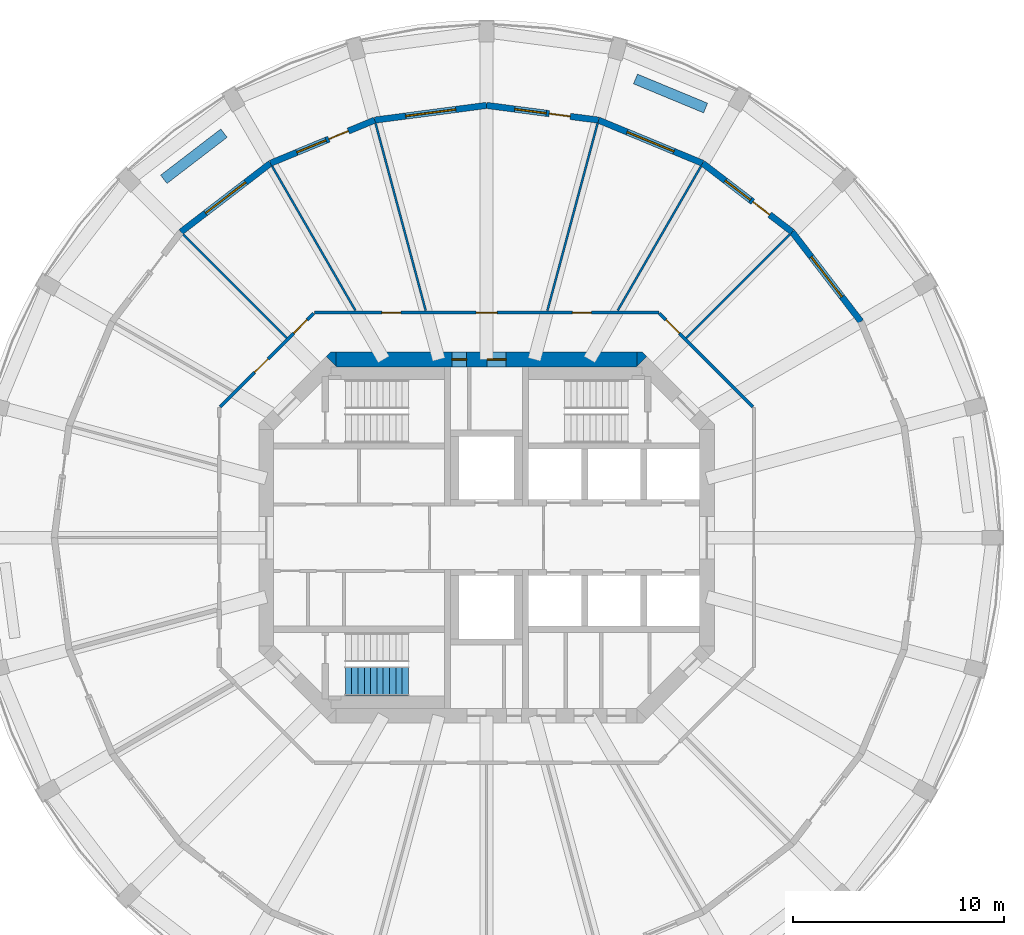
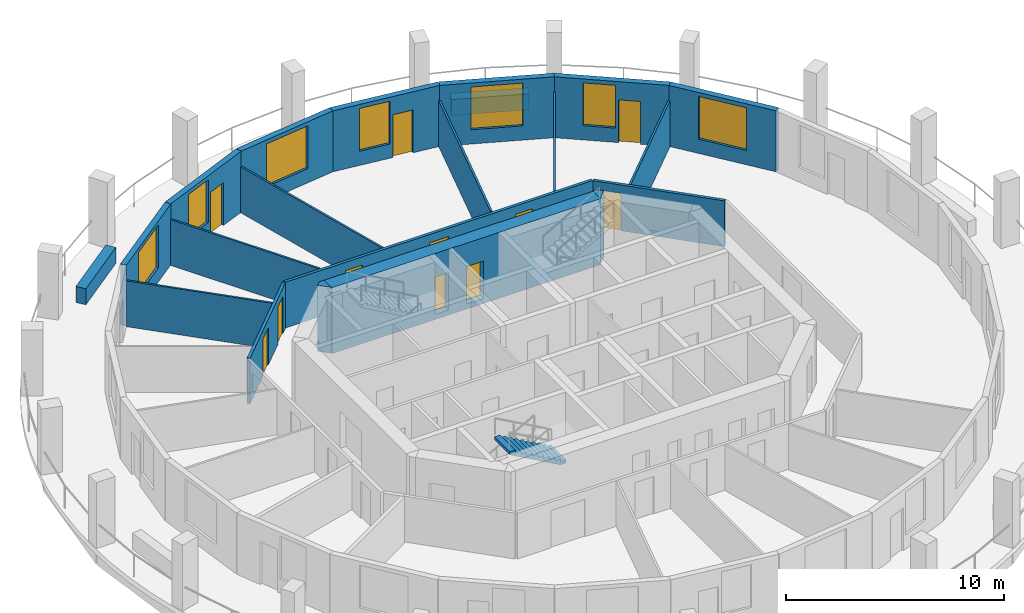
# One storey, part 6 of 9: 21 walls, 11 doors, 7 windows, 1 stair flight, 18 openings, 1 element without a shape of its own.
"""IFC4 building model written with IfcOpenShell, lengths in metres."""

from ifc_helpers import new_model, si_unit, direction, frame, frame_2d, origin, place, context, subcontext, project, spatial, polyline, rectangle, outline, extrude, material, layer, layer_set, type_object, element, fill, aggregate, save


model = new_model("IFC4")

# Units and contexts
model_context = context("Model", 3, precision=1e-05, world=origin(), true_north=direction((0.0, 1.0)))
body_context = subcontext(model_context, "Body", "Model", "MODEL_VIEW")
ifc_project = project(units=[si_unit("LENGTHUNIT", "METRE"), si_unit("AREAUNIT", "SQUARE_METRE"), si_unit("VOLUMEUNIT", "CUBIC_METRE"), si_unit("PLANEANGLEUNIT", "RADIAN"), si_unit("MASSUNIT", "GRAM", prefix="KILO")], contexts=[model_context])

# Site, building, storey
site_placement = place(None, origin())
site = spatial("IfcSite", under=ifc_project, at=site_placement, CompositionType="ELEMENT")
building_placement = place(site_placement, origin())
building = spatial("IfcBuilding", under=site, at=building_placement, Name="Torre Triforio", CompositionType="ELEMENT")
storey_placement = place(building_placement, frame((0.0, 0.0, 244.60009765625)))
storey = spatial("IfcBuildingStorey", under=building, at=storey_placement, Name="L56", CompositionType="ELEMENT", Elevation=244.60009765625)

# Wall, openings, doors
ifc_material_1 = material(Name="Concrete C50", Category="concrete")
ifc_layer_1 = layer(ifc_material_1, 0.699951171875)
ifc_layer_set_1 = layer_set([ifc_layer_1], Name="Concrete C50")
wall_type_1 = type_object("IfcWallType", Name="Core wall 700 mm C50 EI 120", PredefinedType="SHEAR", material=ifc_layer_set_1)
wall_1_placement = place(storey_placement, frame((-7.1298828125, 8.449951171875, -0.280029296875), z_axis=(0.0, 0.0, 1.0), x_axis=(1.0, 0.0, 0.0)))
wall_1 = element("IfcWall", 1, at=wall_1_placement, inside=storey, type_object=wall_type_1, Name="Core wall", PredefinedType="SHEAR", context=body_context, shape_type="SweptSolid", body=[
    extrude(rectangle(XDim=14.259765625, YDim=0.699951171875, at=frame_2d((7.1298828125, 0.0))), origin(), (0.0, 0.0, 1.0), 3.699951171875),
])
opening_1_placement = place(wall_1_placement, frame((5.47998046875, 0.0, 0.280029296875)))
opening_1 = element("IfcOpeningElement", 2, at=opening_1_placement, cuts=wall_1, Name="Opening RISER-N", PredefinedType="OPENING", context=body_context, shape_type="SweptSolid", body=[
    extrude(rectangle(XDim=0.699951171875, YDim=2.10009765625, at=frame_2d((0.35009765625, 1.050048828125))), frame((0.0, 0.35986328125, 0.0), z_axis=(0.0, -1.0, 0.0), x_axis=(1.0, 0.0, 0.0)), (0.0, 0.0, 1.0), 0.719970703125),
])
opening_2_placement = place(wall_1_placement, frame((7.155029296875, 0.0, 0.280029296875)))
opening_2 = element("IfcOpeningElement", 3, at=opening_2_placement, cuts=wall_1, Name="Opening NE-01", PredefinedType="OPENING", context=body_context, shape_type="SweptSolid", body=[
    extrude(rectangle(XDim=0.89990234375, YDim=2.10009765625, at=frame_2d((0.449951171875, 1.050048828125))), frame((0.0, 0.35986328125, 0.0), z_axis=(0.0, -1.0, 0.0), x_axis=(1.0, 0.0, 0.0)), (0.0, 0.0, 1.0), 0.719970703125),
])
ifc_material_2 = material(Name="Hollow metal fire door leaf")
door_type_1 = type_object("IfcDoorType", Name="Riser door 700 x 2100 EI 60", OperationType="NOTDEFINED", PredefinedType="DOOR", material=ifc_material_2)
door_1_placement = place(opening_1_placement, origin())
door_1 = element("IfcDoor", 4, at=door_1_placement, inside=storey, type_object=door_type_1, Name="Core door RISER-N", OperationType="SINGLE_SWING_LEFT", OverallHeight=2.10009765625, OverallWidth=0.699951171875, PredefinedType="DOOR", context=body_context, shape_type="SweptSolid", body=[
    extrude(rectangle(XDim=0.699951171875, YDim=2.10009765625, at=frame_2d((0.35009765625, 1.050048828125))), frame((0.0, 0.02490234375, 0.0), z_axis=(0.0, -1.0, 0.0), x_axis=(1.0, 0.0, 0.0)), (0.0, 0.0, 1.0), 0.050048828125),
])
fill(opening_1, door_1)
door_type_2 = type_object("IfcDoorType", Name="Room door 900 x 2100 EI 60", OperationType="NOTDEFINED", PredefinedType="DOOR", material=ifc_material_2)
door_2_placement = place(opening_2_placement, origin())
door_2 = element("IfcDoor", 5, at=door_2_placement, inside=storey, type_object=door_type_2, Name="Core door NE-01", OperationType="SINGLE_SWING_RIGHT", OverallHeight=2.10009765625, OverallWidth=0.89990234375, PredefinedType="DOOR", context=body_context, shape_type="SweptSolid", body=[
    extrude(rectangle(XDim=0.89990234375, YDim=2.10009765625, at=frame_2d((0.449951171875, 1.050048828125))), frame((0.0, 0.02490234375, 0.0), z_axis=(0.0, -1.0, 0.0), x_axis=(1.0, 0.0, 0.0)), (0.0, 0.0, 1.0), 0.050048828125),
])
fill(opening_2, door_2)

# Walls
wall_2_placement = place(storey_placement, frame((0.0, 0.0, -0.280029296875)))
element("IfcWall", 6, at=wall_2_placement, inside=storey, type_object=wall_type_1, Name="Core wall", PredefinedType="SHEAR", context=body_context, shape_type="SweptSolid", body=[
    extrude(outline(polyline([(-7.389892578125, 8.800048828125), (-7.1298828125, 8.800048828125), (-7.1298828125, 8.800048828125), (-7.1298828125, 8.1298828125), (-7.594970703125, 8.594970703125), (-7.594970703125, 8.594970703125), (-7.594970703125, 8.594970703125), (-7.389892578125, 8.800048828125)])), origin(), (0.0, 0.0, 1.0), 3.699951171875),
])
wall_3_placement = place(storey_placement, frame((0.0, 0.0, -0.280029296875)))
element("IfcWall", 7, at=wall_3_placement, inside=storey, type_object=wall_type_1, Name="Core wall", PredefinedType="SHEAR", context=body_context, shape_type="SweptSolid", body=[
    extrude(outline(polyline([(7.389892578125, 8.800048828125), (7.594970703125, 8.594970703125), (7.594970703125, 8.594970703125), (7.594970703125, 8.594970703125), (7.1298828125, 8.1298828125), (7.1298828125, 8.800048828125), (7.1298828125, 8.800048828125), (7.389892578125, 8.800048828125)])), origin(), (0.0, 0.0, 1.0), 3.699951171875),
])

# Wall, openings, doors
ifc_material_3 = material(Name="Plasterboard on metal studs")
ifc_layer_2 = layer(ifc_material_3, 0.14990234375)
ifc_layer_set_2 = layer_set([ifc_layer_2], Name="Plasterboard on metal studs")
wall_type_2 = type_object("IfcWallType", Name="Corridor and tenancy wall 150 mm EI 60", PredefinedType="PARTITIONING", material=ifc_layer_set_2)
wall_4_placement = place(storey_placement, frame((-12.637939453125, 6.20361328125, 0.0), z_axis=(0.0, 0.0, 1.0), x_axis=(0.707106781187, 0.707106781187, 0.0)))
wall_4 = element("IfcWall", 8, at=wall_4_placement, inside=storey, type_object=wall_type_2, Name="Partition 7", PredefinedType="PARTITIONING", context=body_context, shape_type="SweptSolid", body=[
    extrude(rectangle(XDim=6.27099609375, YDim=0.14990234375, at=frame_2d((3.135498046875, 0.0))), origin(), (0.0, 0.0, 1.0), 2.56982421875),
])
opening_3_placement = place(wall_4_placement, frame((4.935302734375, 0.0, 0.0)))
opening_3 = element("IfcOpeningElement", 9, at=opening_3_placement, cuts=wall_4, Name="Opening O8-11", PredefinedType="OPENING", context=body_context, shape_type="SweptSolid", body=[
    extrude(rectangle(XDim=0.89990234375, YDim=2.10009765625, at=frame_2d((0.449951171875, 1.050048828125))), frame((0.0, 0.0849609375, 0.0), z_axis=(0.0, -1.0, 0.0), x_axis=(1.0, 0.0, 0.0)), (0.0, 0.0, 1.0), 0.169921875),
])
opening_4_placement = place(wall_4_placement, frame((2.313720703125, 0.0, 0.0)))
opening_4 = element("IfcOpeningElement", 10, at=opening_4_placement, cuts=wall_4, Name="Opening O8-12", PredefinedType="OPENING", context=body_context, shape_type="SweptSolid", body=[
    extrude(rectangle(XDim=0.89990234375, YDim=2.10009765625, at=frame_2d((0.449951171875, 1.050048828125))), frame((0.0, 0.0849609375, 0.0), z_axis=(0.0, -1.0, 0.0), x_axis=(1.0, 0.0, 0.0)), (0.0, 0.0, 1.0), 0.169921875),
])
ifc_material_4 = material(Name="Timber", Category="wood")
door_type_3 = type_object("IfcDoorType", Name="Door 900 x 2100 single leaf EI 30", OperationType="NOTDEFINED", PredefinedType="DOOR", material=ifc_material_4)
door_3_placement = place(opening_3_placement, origin())
door_3 = element("IfcDoor", 11, at=door_3_placement, inside=storey, type_object=door_type_3, Name="Door O8-11", OperationType="SINGLE_SWING_LEFT", OverallHeight=2.10009765625, OverallWidth=0.89990234375, PredefinedType="DOOR", context=body_context, shape_type="SweptSolid", body=[
    extrude(rectangle(XDim=0.89990234375, YDim=2.10009765625, at=frame_2d((0.449951171875, 1.050048828125))), frame((0.0, 0.02490234375, 0.0), z_axis=(0.0, -1.0, 0.0), x_axis=(1.0, 0.0, 0.0)), (0.0, 0.0, 1.0), 0.050048828125),
])
fill(opening_3, door_3)
door_4_placement = place(opening_4_placement, origin())
door_4 = element("IfcDoor", 12, at=door_4_placement, inside=storey, type_object=door_type_3, Name="Door O8-12", OperationType="SINGLE_SWING_LEFT", OverallHeight=2.10009765625, OverallWidth=0.89990234375, PredefinedType="DOOR", context=body_context, shape_type="SweptSolid", body=[
    extrude(rectangle(XDim=0.89990234375, YDim=2.10009765625, at=frame_2d((0.449951171875, 1.050048828125))), frame((0.0, 0.02490234375, 0.0), z_axis=(0.0, -1.0, 0.0), x_axis=(1.0, 0.0, 0.0)), (0.0, 0.0, 1.0), 0.050048828125),
])
fill(opening_4, door_4)

wall_5_placement = place(storey_placement, frame((-8.16650390625, 10.675048828125, 0.0), z_axis=(0.0, 0.0, 1.0), x_axis=(1.0, 0.0, 0.0)))
wall_5 = element("IfcWall", 13, at=wall_5_placement, inside=storey, type_object=wall_type_2, Name="Partition 8", PredefinedType="PARTITIONING", context=body_context, shape_type="SweptSolid", body=[
    extrude(rectangle(XDim=16.3330078125, YDim=0.14990234375, at=frame_2d((8.16650390625, 0.0))), origin(), (0.0, 0.0, 1.0), 2.56982421875),
])
opening_5_placement = place(wall_5_placement, frame((12.232421875, 0.0, 0.0)))
opening_5 = element("IfcOpeningElement", 14, at=opening_5_placement, cuts=wall_5, Name="Opening O8-08", PredefinedType="OPENING", context=body_context, shape_type="SweptSolid", body=[
    extrude(rectangle(XDim=0.89990234375, YDim=2.10009765625, at=frame_2d((0.449951171875, 1.050048828125))), frame((0.0, 0.0849609375, 0.0), z_axis=(0.0, -1.0, 0.0), x_axis=(1.0, 0.0, 0.0)), (0.0, 0.0, 1.0), 0.169921875),
])
opening_6_placement = place(wall_5_placement, frame((7.66650390625, 0.0, 0.0)))
opening_6 = element("IfcOpeningElement", 15, at=opening_6_placement, cuts=wall_5, Name="Opening O8-09", PredefinedType="OPENING", context=body_context, shape_type="SweptSolid", body=[
    extrude(rectangle(XDim=1.0, YDim=2.10009765625, at=frame_2d((0.5, 1.050048828125))), frame((0.0, 0.0849609375, 0.0), z_axis=(0.0, -1.0, 0.0), x_axis=(1.0, 0.0, 0.0)), (0.0, 0.0, 1.0), 0.169921875),
])
opening_7_placement = place(wall_5_placement, frame((3.200927734375, 0.0, 0.0)))
opening_7 = element("IfcOpeningElement", 16, at=opening_7_placement, cuts=wall_5, Name="Opening O8-10", PredefinedType="OPENING", context=body_context, shape_type="SweptSolid", body=[
    extrude(rectangle(XDim=0.89990234375, YDim=2.10009765625, at=frame_2d((0.449951171875, 1.050048828125))), frame((0.0, 0.0849609375, 0.0), z_axis=(0.0, -1.0, 0.0), x_axis=(1.0, 0.0, 0.0)), (0.0, 0.0, 1.0), 0.169921875),
])
door_type_4 = type_object("IfcDoorType", Name="Door 1000 x 2100 single leaf EI 30", OperationType="NOTDEFINED", PredefinedType="DOOR", material=ifc_material_4)
door_5_placement = place(opening_6_placement, origin())
door_5 = element("IfcDoor", 17, at=door_5_placement, inside=storey, type_object=door_type_4, Name="Door O8-09", OperationType="SINGLE_SWING_RIGHT", OverallHeight=2.10009765625, OverallWidth=1.0, PredefinedType="DOOR", context=body_context, shape_type="SweptSolid", body=[
    extrude(rectangle(XDim=1.0, YDim=2.10009765625, at=frame_2d((0.5, 1.050048828125))), frame((0.0, 0.02490234375, 0.0), z_axis=(0.0, -1.0, 0.0), x_axis=(1.0, 0.0, 0.0)), (0.0, 0.0, 1.0), 0.050048828125),
])
fill(opening_6, door_5)
door_6_placement = place(opening_5_placement, origin())
door_6 = element("IfcDoor", 18, at=door_6_placement, inside=storey, type_object=door_type_3, Name="Door O8-08", OperationType="SINGLE_SWING_RIGHT", OverallHeight=2.10009765625, OverallWidth=0.89990234375, PredefinedType="DOOR", context=body_context, shape_type="SweptSolid", body=[
    extrude(rectangle(XDim=0.89990234375, YDim=2.10009765625, at=frame_2d((0.449951171875, 1.050048828125))), frame((0.0, 0.02490234375, 0.0), z_axis=(0.0, -1.0, 0.0), x_axis=(1.0, 0.0, 0.0)), (0.0, 0.0, 1.0), 0.050048828125),
])
fill(opening_5, door_6)
door_7_placement = place(opening_7_placement, origin())
door_7 = element("IfcDoor", 19, at=door_7_placement, inside=storey, type_object=door_type_3, Name="Door O8-10", OperationType="SINGLE_SWING_LEFT", OverallHeight=2.10009765625, OverallWidth=0.89990234375, PredefinedType="DOOR", context=body_context, shape_type="SweptSolid", body=[
    extrude(rectangle(XDim=0.89990234375, YDim=2.10009765625, at=frame_2d((0.449951171875, 1.050048828125))), frame((0.0, 0.02490234375, 0.0), z_axis=(0.0, -1.0, 0.0), x_axis=(1.0, 0.0, 0.0)), (0.0, 0.0, 1.0), 0.050048828125),
])
fill(opening_7, door_7)

# Wall, opening, door
wall_6_placement = place(storey_placement, frame((8.20361328125, 10.637939453125, 0.0), z_axis=(0.0, 0.0, 1.0), x_axis=(0.707106781187, -0.707106781187, 0.0)))
wall_6 = element("IfcWall", 20, at=wall_6_placement, inside=storey, type_object=wall_type_2, Name="Partition 9", PredefinedType="PARTITIONING", context=body_context, shape_type="SweptSolid", body=[
    extrude(rectangle(XDim=6.27099609375, YDim=0.14990234375, at=frame_2d((3.135498046875, 0.0))), origin(), (0.0, 0.0, 1.0), 2.56982421875),
])
opening_8_placement = place(wall_6_placement, frame((0.435546875, 0.0, 0.0)))
opening_8 = element("IfcOpeningElement", 21, at=opening_8_placement, cuts=wall_6, Name="Opening O8-07", PredefinedType="OPENING", context=body_context, shape_type="SweptSolid", body=[
    extrude(rectangle(XDim=0.89990234375, YDim=2.10009765625, at=frame_2d((0.449951171875, 1.050048828125))), frame((0.0, 0.0849609375, 0.0), z_axis=(0.0, -1.0, 0.0), x_axis=(1.0, 0.0, 0.0)), (0.0, 0.0, 1.0), 0.169921875),
])
door_8_placement = place(opening_8_placement, origin())
door_8 = element("IfcDoor", 22, at=door_8_placement, inside=storey, type_object=door_type_3, Name="Door O8-07", OperationType="SINGLE_SWING_LEFT", OverallHeight=2.10009765625, OverallWidth=0.89990234375, PredefinedType="DOOR", context=body_context, shape_type="SweptSolid", body=[
    extrude(rectangle(XDim=0.89990234375, YDim=2.10009765625, at=frame_2d((0.449951171875, 1.050048828125))), frame((0.0, 0.02490234375, 0.0), z_axis=(0.0, -1.0, 0.0), x_axis=(1.0, 0.0, 0.0)), (0.0, 0.0, 1.0), 0.050048828125),
])
fill(opening_8, door_8)

# Walls
ifc_layer_3 = layer(ifc_material_3, 0.10009765625)
ifc_layer_set_3 = layer_set([ifc_layer_3], Name="Plasterboard on metal studs")
wall_type_3 = type_object("IfcWallType", Name="Partition 100 mm board on metal studs", PredefinedType="PARTITIONING", material=ifc_layer_set_3)
wall_7_placement = place(storey_placement, frame((9.473876953125, 9.473876953125, 0.0), z_axis=(0.0, 0.0, 1.0), x_axis=(0.707106781187, 0.707106781187, 0.0)))
element("IfcWall", 23, at=wall_7_placement, inside=storey, type_object=wall_type_3, Name="Partition 11", PredefinedType="PARTITIONING", context=body_context, shape_type="SweptSolid", body=[
    extrude(rectangle(XDim=6.9384765625, YDim=0.10009765625, at=frame_2d((3.46923828125, 0.0))), origin(), (0.0, 0.0, 1.0), 2.56982421875),
])
wall_8_placement = place(storey_placement, frame((6.220703125, 10.774658203125, 0.0), z_axis=(0.0, 0.0, 1.0), x_axis=(0.500016891966, 0.866015650984, 0.0)))
element("IfcWall", 24, at=wall_8_placement, inside=storey, type_object=wall_type_3, Name="Partition 12", PredefinedType="PARTITIONING", context=body_context, shape_type="SweptSolid", body=[
    extrude(rectangle(XDim=7.895263671875, YDim=0.10009765625, at=frame_2d((3.94775390625, 0.0))), origin(), (0.0, 0.0, 1.0), 2.56982421875),
])
for number, where, z_axis, x_axis, name in (
    (25, (2.88427734375, 10.764404296875, 0.0), (0.0, 0.0, 1.0), (0.258811310764, 0.965927898666, 0.0), "Partition 13"),
    (26, (-2.88427734375, 10.764404296875, 0.0), (0.0, 0.0, 1.0), (-0.258811310764, 0.965927898666, 0.0), "Partition 14"),
):
    element("IfcWall", number, at=place(storey_placement, frame(where, z_axis=z_axis, x_axis=x_axis)), inside=storey, type_object=wall_type_3, Name=name, PredefinedType="PARTITIONING", context=body_context, shape_type="SweptSolid", body=[
        extrude(rectangle(XDim=9.192626953125, YDim=0.10009765625, at=frame_2d((4.59619140625, 0.0))), origin(), (0.0, 0.0, 1.0), 2.56982421875),
    ])
wall_9_placement = place(storey_placement, frame((-6.220703125, 10.774658203125, 0.0), z_axis=(0.0, 0.0, 1.0), x_axis=(-0.500016891966, 0.866015650984, 0.0)))
element("IfcWall", 27, at=wall_9_placement, inside=storey, type_object=wall_type_3, Name="Partition 15", PredefinedType="PARTITIONING", context=body_context, shape_type="SweptSolid", body=[
    extrude(rectangle(XDim=7.895263671875, YDim=0.10009765625, at=frame_2d((3.94775390625, 0.0))), origin(), (0.0, 0.0, 1.0), 2.56982421875),
])
wall_10_placement = place(storey_placement, frame((-9.473876953125, 9.473876953125, 0.0), z_axis=(0.0, 0.0, 1.0), x_axis=(-0.707106781187, 0.707106781187, 0.0)))
element("IfcWall", 28, at=wall_10_placement, inside=storey, type_object=wall_type_3, Name="Partition 16", PredefinedType="PARTITIONING", context=body_context, shape_type="SweptSolid", body=[
    extrude(rectangle(XDim=6.9384765625, YDim=0.10009765625, at=frame_2d((3.46923828125, 0.0))), origin(), (0.0, 0.0, 1.0), 2.56982421875),
])
ifc_material_5 = material(Name="Limestone cladding", Category="masonry")
ifc_layer_4 = layer(ifc_material_5, 0.10009765625)
ifc_material_6 = material(Name="Concrete C40", Category="concrete")
ifc_layer_5 = layer(ifc_material_6, 0.39990234375)
ifc_layer_set_4 = layer_set([ifc_layer_4, ifc_layer_5], Name="Limestone cladding / Concrete C40")
wall_type_4 = type_object("IfcWallType", Name="Planter wall 500", PredefinedType="PARAPET", material=ifc_layer_set_4)
for number, where, z_axis, x_axis, name in (
    (29, (10.38818359375, 20.37548828125, 0.0), (0.0, 0.0, 1.0), (-0.923851510231, 0.38275107713, 0.0), "Planter L56 bay 05"),
    (30, (-12.45166015625, 19.18408203125, 0.0), (0.0, 0.0, 1.0), (-0.793384730612, -0.608720518162, 0.0), "Planter L56 bay 09"),
):
    element("IfcWall", number, at=place(storey_placement, frame(where, z_axis=z_axis, x_axis=x_axis)), inside=storey, type_object=wall_type_4, Name=name, PredefinedType="PARAPET", context=body_context, shape_type="SweptSolid", body=[
        extrude(rectangle(XDim=3.60009765625, YDim=0.5, at=frame_2d((1.800048828125, 0.0))), origin(), (0.0, 0.0, 1.0), 0.89990234375),
    ])

# Wall, opening, window
ifc_layer_6 = layer(ifc_material_5, 0.10009765625)
ifc_layer_7 = layer(ifc_material_6, 0.199951171875)
ifc_layer_set_5 = layer_set([ifc_layer_6, ifc_layer_7], Name="Limestone cladding / Concrete C40")
wall_type_5 = type_object("IfcWallType", Name="Stone-faced composite wall 300", PredefinedType="STANDARD", material=ifc_layer_set_5)
wall_11_placement = place(storey_placement, frame((17.75341796875, 10.25, 0.0), z_axis=(0.0, 0.0, 1.0), x_axis=(-0.60876670321, 0.793349293227, 0.0)))
wall_11 = element("IfcWall", 31, at=wall_11_placement, inside=storey, type_object=wall_type_5, Name="External wall L56 bay 03", PredefinedType="STANDARD", context=body_context, shape_type="SweptSolid", body=[
    extrude(rectangle(XDim=5.3515625, YDim=0.300048828125, at=frame_2d((2.67578125, 0.0))), origin(), (0.0, 0.0, 1.0), 3.419921875),
])
opening_9_placement = place(wall_11_placement, frame((1.475830078125, 0.0, 0.800048828125)))
opening_9 = element("IfcOpeningElement", 32, at=opening_9_placement, cuts=wall_11, Name="Opening O8-W03", PredefinedType="OPENING", context=body_context, shape_type="SweptSolid", body=[
    extrude(rectangle(XDim=2.39990234375, YDim=2.39990234375, at=frame_2d((1.199951171875, 1.199951171875))), frame((0.0, 0.159912109375, 0.0), z_axis=(0.0, -1.0, 0.0), x_axis=(1.0, 0.0, 0.0)), (0.0, 0.0, 1.0), 0.320068359375),
])
ifc_material_7 = material(Name="Aluminium frame with clear double glazing", Category="aluminium")
window_type_1 = type_object("IfcWindowType", Name="Punched window 2400 x 2400", PartitioningType="DOUBLE_PANEL_VERTICAL", PredefinedType="WINDOW", material=ifc_material_7)
window_1_placement = place(opening_9_placement, origin())
window_1 = element("IfcWindow", 33, at=window_1_placement, inside=storey, type_object=window_type_1, Name="Window EWN4 L56 bay 03", OverallHeight=2.39990234375, OverallWidth=2.39990234375, PartitioningType="SINGLE_PANEL", PredefinedType="WINDOW", context=body_context, shape_type="SweptSolid", body=[
    extrude(rectangle(XDim=2.39990234375, YDim=2.39990234375, at=frame_2d((1.199951171875, 1.199951171875))), frame((0.0, 0.030029296875, 0.0), z_axis=(0.0, -1.0, 0.0), x_axis=(1.0, 0.0, 0.0)), (0.0, 0.0, 1.0), 0.06005859375),
])
fill(opening_9, window_1)

# Wall, openings, door, window
wall_12_placement = place(storey_placement, frame((14.49560546875, 14.49560546875, 0.0), z_axis=(0.0, 0.0, 1.0), x_axis=(-0.793349293227, 0.60876670321, 0.0)))
wall_12 = element("IfcWall", 34, at=wall_12_placement, inside=storey, type_object=wall_type_5, Name="External wall L56 bay 04", PredefinedType="STANDARD", context=body_context, shape_type="SweptSolid", body=[
    extrude(rectangle(XDim=5.3515625, YDim=0.300048828125, at=frame_2d((2.67578125, 0.0))), origin(), (0.0, 0.0, 1.0), 3.419921875),
])
opening_10_placement = place(wall_12_placement, frame((1.350830078125, 0.0, 0.0)))
opening_10 = element("IfcOpeningElement", 35, at=opening_10_placement, cuts=wall_12, Name="Opening O8-D04", PredefinedType="OPENING", context=body_context, shape_type="SweptSolid", body=[
    extrude(rectangle(XDim=1.0, YDim=2.39990234375, at=frame_2d((0.5, 1.199951171875))), frame((0.0, 0.159912109375, 0.0), z_axis=(0.0, -1.0, 0.0), x_axis=(1.0, 0.0, 0.0)), (0.0, 0.0, 1.0), 0.320068359375),
])
opening_11_placement = place(wall_12_placement, frame((2.500732421875, 0.0, 0.800048828125)))
opening_11 = element("IfcOpeningElement", 36, at=opening_11_placement, cuts=wall_12, Name="Opening O8-W04A", PredefinedType="OPENING", context=body_context, shape_type="SweptSolid", body=[
    extrude(rectangle(XDim=1.5, YDim=2.39990234375, at=frame_2d((0.75, 1.199951171875))), frame((0.0, 0.159912109375, 0.0), z_axis=(0.0, -1.0, 0.0), x_axis=(1.0, 0.0, 0.0)), (0.0, 0.0, 1.0), 0.320068359375),
])
door_type_5 = type_object("IfcDoorType", Name="Loggia door 1000 x 2400", OperationType="NOTDEFINED", PredefinedType="DOOR", material=ifc_material_7)
door_9_placement = place(opening_10_placement, origin())
door_9 = element("IfcDoor", 37, at=door_9_placement, inside=storey, type_object=door_type_5, Name="Loggia door L56 bay 04", OperationType="SINGLE_SWING_LEFT", OverallHeight=2.39990234375, OverallWidth=1.0, PredefinedType="DOOR", context=body_context, shape_type="SweptSolid", body=[
    extrude(rectangle(XDim=1.0, YDim=2.39990234375, at=frame_2d((0.5, 1.199951171875))), frame((0.0, 0.02490234375, 0.0), z_axis=(0.0, -1.0, 0.0), x_axis=(1.0, 0.0, 0.0)), (0.0, 0.0, 1.0), 0.050048828125),
])
fill(opening_10, door_9)
window_type_2 = type_object("IfcWindowType", Name="Side window 1500 x 2400", PartitioningType="SINGLE_PANEL", PredefinedType="WINDOW", material=ifc_material_7)
window_2_placement = place(opening_11_placement, origin())
window_2 = element("IfcWindow", 38, at=window_2_placement, inside=storey, type_object=window_type_2, Name="Side window EWN14 L56 bay 04", OverallHeight=2.39990234375, OverallWidth=1.5, PartitioningType="SINGLE_PANEL", PredefinedType="WINDOW", context=body_context, shape_type="SweptSolid", body=[
    extrude(rectangle(XDim=1.5, YDim=2.39990234375, at=frame_2d((0.75, 1.199951171875))), frame((0.0, 0.030029296875, 0.0), z_axis=(0.0, -1.0, 0.0), x_axis=(1.0, 0.0, 0.0)), (0.0, 0.0, 1.0), 0.06005859375),
])
fill(opening_11, window_2)

# Wall, opening, window
wall_13_placement = place(storey_placement, frame((10.25, 17.75341796875, 0.0), z_axis=(0.0, 0.0, 1.0), x_axis=(-0.923867255172, 0.382713071139, 0.0)))
wall_13 = element("IfcWall", 39, at=wall_13_placement, inside=storey, type_object=wall_type_5, Name="External wall L56 bay 05", PredefinedType="STANDARD", context=body_context, shape_type="SweptSolid", body=[
    extrude(rectangle(XDim=5.3515625, YDim=0.300048828125, at=frame_2d((2.67578125, 0.0))), origin(), (0.0, 0.0, 1.0), 3.419921875),
])
opening_12_placement = place(wall_13_placement, frame((1.475830078125, 0.0, 0.800048828125)))
opening_12 = element("IfcOpeningElement", 40, at=opening_12_placement, cuts=wall_13, Name="Opening O8-W05", PredefinedType="OPENING", context=body_context, shape_type="SweptSolid", body=[
    extrude(rectangle(XDim=2.39990234375, YDim=2.39990234375, at=frame_2d((1.199951171875, 1.199951171875))), frame((0.0, 0.159912109375, 0.0), z_axis=(0.0, -1.0, 0.0), x_axis=(1.0, 0.0, 0.0)), (0.0, 0.0, 1.0), 0.320068359375),
])
window_3_placement = place(opening_12_placement, origin())
window_3 = element("IfcWindow", 41, at=window_3_placement, inside=storey, type_object=window_type_1, Name="Window EWN4 L56 bay 05", OverallHeight=2.39990234375, OverallWidth=2.39990234375, PartitioningType="SINGLE_PANEL", PredefinedType="WINDOW", context=body_context, shape_type="SweptSolid", body=[
    extrude(rectangle(XDim=2.39990234375, YDim=2.39990234375, at=frame_2d((1.199951171875, 1.199951171875))), frame((0.0, 0.030029296875, 0.0), z_axis=(0.0, -1.0, 0.0), x_axis=(1.0, 0.0, 0.0)), (0.0, 0.0, 1.0), 0.06005859375),
])
fill(opening_12, window_3)

# Wall, openings, door, window
wall_14_placement = place(storey_placement, frame((5.305908203125, 19.801513671875, 0.0), z_axis=(0.0, 0.0, 1.0), x_axis=(-0.991446064069, 0.130517056518, 0.0)))
wall_14 = element("IfcWall", 42, at=wall_14_placement, inside=storey, type_object=wall_type_5, Name="External wall L56 bay 06", PredefinedType="STANDARD", context=body_context, shape_type="SweptSolid", body=[
    extrude(rectangle(XDim=5.351806640625, YDim=0.300048828125, at=frame_2d((2.67578125, 0.0))), origin(), (0.0, 0.0, 1.0), 3.419921875),
])
opening_13_placement = place(wall_14_placement, frame((1.350830078125, 0.0, 0.0)))
opening_13 = element("IfcOpeningElement", 43, at=opening_13_placement, cuts=wall_14, Name="Opening O8-D06", PredefinedType="OPENING", context=body_context, shape_type="SweptSolid", body=[
    extrude(rectangle(XDim=1.0, YDim=2.39990234375, at=frame_2d((0.5, 1.199951171875))), frame((0.0, 0.159912109375, 0.0), z_axis=(0.0, -1.0, 0.0), x_axis=(1.0, 0.0, 0.0)), (0.0, 0.0, 1.0), 0.320068359375),
])
opening_14_placement = place(wall_14_placement, frame((2.500732421875, 0.0, 0.800048828125)))
opening_14 = element("IfcOpeningElement", 44, at=opening_14_placement, cuts=wall_14, Name="Opening O8-W06A", PredefinedType="OPENING", context=body_context, shape_type="SweptSolid", body=[
    extrude(rectangle(XDim=1.5, YDim=2.39990234375, at=frame_2d((0.75, 1.199951171875))), frame((0.0, 0.159912109375, 0.0), z_axis=(0.0, -1.0, 0.0), x_axis=(1.0, 0.0, 0.0)), (0.0, 0.0, 1.0), 0.320068359375),
])
door_10_placement = place(opening_13_placement, origin())
door_10 = element("IfcDoor", 45, at=door_10_placement, inside=storey, type_object=door_type_5, Name="Loggia door L56 bay 06", OperationType="SINGLE_SWING_LEFT", OverallHeight=2.39990234375, OverallWidth=1.0, PredefinedType="DOOR", context=body_context, shape_type="SweptSolid", body=[
    extrude(rectangle(XDim=1.0, YDim=2.39990234375, at=frame_2d((0.5, 1.199951171875))), frame((0.0, 0.02490234375, 0.0), z_axis=(0.0, -1.0, 0.0), x_axis=(1.0, 0.0, 0.0)), (0.0, 0.0, 1.0), 0.050048828125),
])
fill(opening_13, door_10)
window_4_placement = place(opening_14_placement, origin())
window_4 = element("IfcWindow", 46, at=window_4_placement, inside=storey, type_object=window_type_2, Name="Side window EWN14 L56 bay 06", OverallHeight=2.39990234375, OverallWidth=1.5, PartitioningType="SINGLE_PANEL", PredefinedType="WINDOW", context=body_context, shape_type="SweptSolid", body=[
    extrude(rectangle(XDim=1.5, YDim=2.39990234375, at=frame_2d((0.75, 1.199951171875))), frame((0.0, 0.030029296875, 0.0), z_axis=(0.0, -1.0, 0.0), x_axis=(1.0, 0.0, 0.0)), (0.0, 0.0, 1.0), 0.06005859375),
])
fill(opening_14, window_4)

# Wall, opening, window
wall_15_placement = place(storey_placement, frame((0.0, 20.5, 0.0), z_axis=(0.0, 0.0, 1.0), x_axis=(-0.991446064069, -0.130517056518, 0.0)))
wall_15 = element("IfcWall", 47, at=wall_15_placement, inside=storey, type_object=wall_type_5, Name="External wall L56 bay 07", PredefinedType="STANDARD", context=body_context, shape_type="SweptSolid", body=[
    extrude(rectangle(XDim=5.351806640625, YDim=0.300048828125, at=frame_2d((2.67578125, 0.0))), origin(), (0.0, 0.0, 1.0), 3.419921875),
])
opening_15_placement = place(wall_15_placement, frame((1.475830078125, 0.0, 0.800048828125)))
opening_15 = element("IfcOpeningElement", 48, at=opening_15_placement, cuts=wall_15, Name="Opening O8-W07", PredefinedType="OPENING", context=body_context, shape_type="SweptSolid", body=[
    extrude(rectangle(XDim=2.39990234375, YDim=2.39990234375, at=frame_2d((1.199951171875, 1.199951171875))), frame((0.0, 0.159912109375, 0.0), z_axis=(0.0, -1.0, 0.0), x_axis=(1.0, 0.0, 0.0)), (0.0, 0.0, 1.0), 0.320068359375),
])
window_5_placement = place(opening_15_placement, origin())
window_5 = element("IfcWindow", 49, at=window_5_placement, inside=storey, type_object=window_type_1, Name="Window EWN4 L56 bay 07", OverallHeight=2.39990234375, OverallWidth=2.39990234375, PartitioningType="SINGLE_PANEL", PredefinedType="WINDOW", context=body_context, shape_type="SweptSolid", body=[
    extrude(rectangle(XDim=2.39990234375, YDim=2.39990234375, at=frame_2d((1.199951171875, 1.199951171875))), frame((0.0, 0.030029296875, 0.0), z_axis=(0.0, -1.0, 0.0), x_axis=(1.0, 0.0, 0.0)), (0.0, 0.0, 1.0), 0.06005859375),
])
fill(opening_15, window_5)

# Wall, openings, door, window
wall_16_placement = place(storey_placement, frame((-5.305908203125, 19.801513671875, 0.0), z_axis=(0.0, 0.0, 1.0), x_axis=(-0.923867255172, -0.382713071139, 0.0)))
wall_16 = element("IfcWall", 50, at=wall_16_placement, inside=storey, type_object=wall_type_5, Name="External wall L56 bay 08", PredefinedType="STANDARD", context=body_context, shape_type="SweptSolid", body=[
    extrude(rectangle(XDim=5.3515625, YDim=0.300048828125, at=frame_2d((2.67578125, 0.0))), origin(), (0.0, 0.0, 1.0), 3.419921875),
])
opening_16_placement = place(wall_16_placement, frame((1.350830078125, 0.0, 0.0)))
opening_16 = element("IfcOpeningElement", 51, at=opening_16_placement, cuts=wall_16, Name="Opening O8-D08", PredefinedType="OPENING", context=body_context, shape_type="SweptSolid", body=[
    extrude(rectangle(XDim=1.0, YDim=2.39990234375, at=frame_2d((0.5, 1.199951171875))), frame((0.0, 0.159912109375, 0.0), z_axis=(0.0, -1.0, 0.0), x_axis=(1.0, 0.0, 0.0)), (0.0, 0.0, 1.0), 0.320068359375),
])
opening_17_placement = place(wall_16_placement, frame((2.500732421875, 0.0, 0.800048828125)))
opening_17 = element("IfcOpeningElement", 52, at=opening_17_placement, cuts=wall_16, Name="Opening O8-W08A", PredefinedType="OPENING", context=body_context, shape_type="SweptSolid", body=[
    extrude(rectangle(XDim=1.5, YDim=2.39990234375, at=frame_2d((0.75, 1.199951171875))), frame((0.0, 0.159912109375, 0.0), z_axis=(0.0, -1.0, 0.0), x_axis=(1.0, 0.0, 0.0)), (0.0, 0.0, 1.0), 0.320068359375),
])
door_11_placement = place(opening_16_placement, origin())
door_11 = element("IfcDoor", 53, at=door_11_placement, inside=storey, type_object=door_type_5, Name="Loggia door L56 bay 08", OperationType="SINGLE_SWING_LEFT", OverallHeight=2.39990234375, OverallWidth=1.0, PredefinedType="DOOR", context=body_context, shape_type="SweptSolid", body=[
    extrude(rectangle(XDim=1.0, YDim=2.39990234375, at=frame_2d((0.5, 1.199951171875))), frame((0.0, 0.02490234375, 0.0), z_axis=(0.0, -1.0, 0.0), x_axis=(1.0, 0.0, 0.0)), (0.0, 0.0, 1.0), 0.050048828125),
])
fill(opening_16, door_11)
window_6_placement = place(opening_17_placement, origin())
window_6 = element("IfcWindow", 54, at=window_6_placement, inside=storey, type_object=window_type_2, Name="Side window EWN14 L56 bay 08", OverallHeight=2.39990234375, OverallWidth=1.5, PartitioningType="SINGLE_PANEL", PredefinedType="WINDOW", context=body_context, shape_type="SweptSolid", body=[
    extrude(rectangle(XDim=1.5, YDim=2.39990234375, at=frame_2d((0.75, 1.199951171875))), frame((0.0, 0.030029296875, 0.0), z_axis=(0.0, -1.0, 0.0), x_axis=(1.0, 0.0, 0.0)), (0.0, 0.0, 1.0), 0.06005859375),
])
fill(opening_17, window_6)

# Wall, opening, window
wall_17_placement = place(storey_placement, frame((-10.25, 17.75341796875, 0.0), z_axis=(0.0, 0.0, 1.0), x_axis=(-0.793349293227, -0.60876670321, 0.0)))
wall_17 = element("IfcWall", 55, at=wall_17_placement, inside=storey, type_object=wall_type_5, Name="External wall L56 bay 09", PredefinedType="STANDARD", context=body_context, shape_type="SweptSolid", body=[
    extrude(rectangle(XDim=5.3515625, YDim=0.300048828125, at=frame_2d((2.67578125, 0.0))), origin(), (0.0, 0.0, 1.0), 3.419921875),
])
opening_18_placement = place(wall_17_placement, frame((1.475830078125, 0.0, 0.800048828125)))
opening_18 = element("IfcOpeningElement", 56, at=opening_18_placement, cuts=wall_17, Name="Opening O8-W09", PredefinedType="OPENING", context=body_context, shape_type="SweptSolid", body=[
    extrude(rectangle(XDim=2.39990234375, YDim=2.39990234375, at=frame_2d((1.199951171875, 1.199951171875))), frame((0.0, 0.159912109375, 0.0), z_axis=(0.0, -1.0, 0.0), x_axis=(1.0, 0.0, 0.0)), (0.0, 0.0, 1.0), 0.320068359375),
])
window_7_placement = place(opening_18_placement, origin())
window_7 = element("IfcWindow", 57, at=window_7_placement, inside=storey, type_object=window_type_1, Name="Window EWN4 L56 bay 09", OverallHeight=2.39990234375, OverallWidth=2.39990234375, PartitioningType="SINGLE_PANEL", PredefinedType="WINDOW", context=body_context, shape_type="SweptSolid", body=[
    extrude(rectangle(XDim=2.39990234375, YDim=2.39990234375, at=frame_2d((1.199951171875, 1.199951171875))), frame((0.0, 0.030029296875, 0.0), z_axis=(0.0, -1.0, 0.0), x_axis=(1.0, 0.0, 0.0)), (0.0, 0.0, 1.0), 0.06005859375),
])
fill(opening_18, window_7)

# Stair, stair flight
stair_type = type_object("IfcStairType", Name="STAIR HALF-TURN", PredefinedType="HALF_TURN_STAIR", material=ifc_material_6)
stair_placement = place(storey_placement, origin())
stair = element("IfcStair", 58, at=stair_placement, inside=storey, type_object=stair_type, Name="Exit stair 3", PredefinedType="HALF_TURN_STAIR")
stair_flight_type = type_object("IfcStairFlightType", Name="STAIR FLIGHT 1400", PredefinedType="STRAIGHT", material=ifc_material_6)
stair_flight_placement = place(storey_placement, frame((-3.699951171875, -6.800048828125, 1.849853515625), z_axis=(0.0, 0.0, 1.0), x_axis=(-1.0, 0.0, 0.0)))
stair_flight = element("IfcStairFlight", 59, at=stair_flight_placement, type_object=stair_flight_type, Name="ST3 flight 2", NumberOfRisers=11, NumberOfTreads=10, PredefinedType="STRAIGHT", RiserHeight=0.168181818, TreadLength=0.3, context=body_context, shape_type="SweptSolid", body=[
    extrude(outline(polyline([(0.0, 0.0), (0.0, 0.168212890625), (0.300048828125, 0.168212890625), (0.300048828125, 0.33642578125), (0.60009765625, 0.33642578125), (0.60009765625, 0.504638671875), (0.89990234375, 0.504638671875), (0.89990234375, 0.672607421875), (1.199951171875, 0.672607421875), (1.199951171875, 0.8408203125), (1.5, 0.8408203125), (1.5, 1.009033203125), (1.800048828125, 1.009033203125), (1.800048828125, 1.17724609375), (2.10009765625, 1.17724609375), (2.10009765625, 1.345458984375), (2.39990234375, 1.345458984375), (2.39990234375, 1.513671875), (2.699951171875, 1.513671875), (2.699951171875, 1.681884765625), (3.0, 1.681884765625), (3.0, 1.85009765625), (3.0, 1.510009765625), (0.306640625, 0.0), (0.0, 0.0)])), frame((0.0, 0.699951171875, 0.0), z_axis=(0.0, -1.0, 0.0), x_axis=(1.0, 0.0, 0.0)), (0.0, 0.0, 1.0), 1.39990234375),
])
aggregate(stair, [stair_flight])

save(model, "model.ifc")
